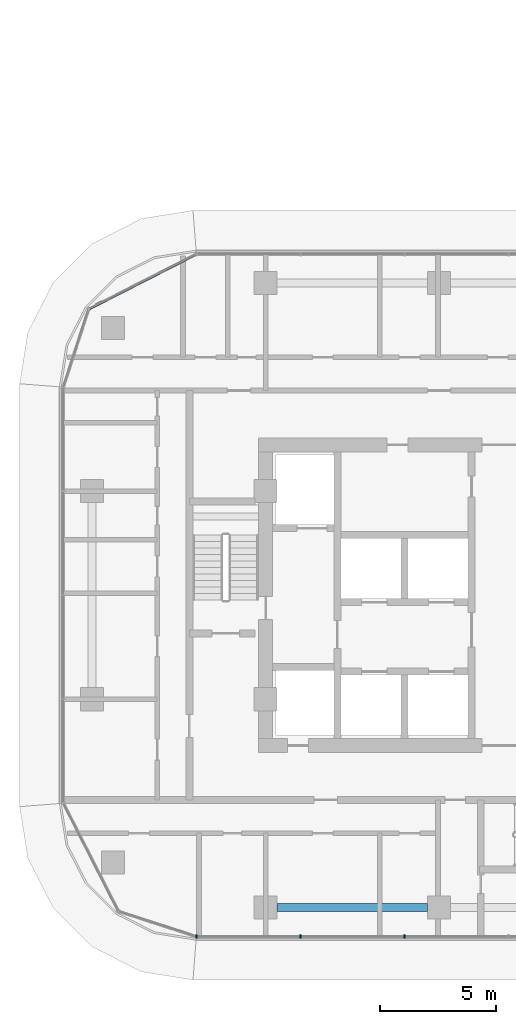
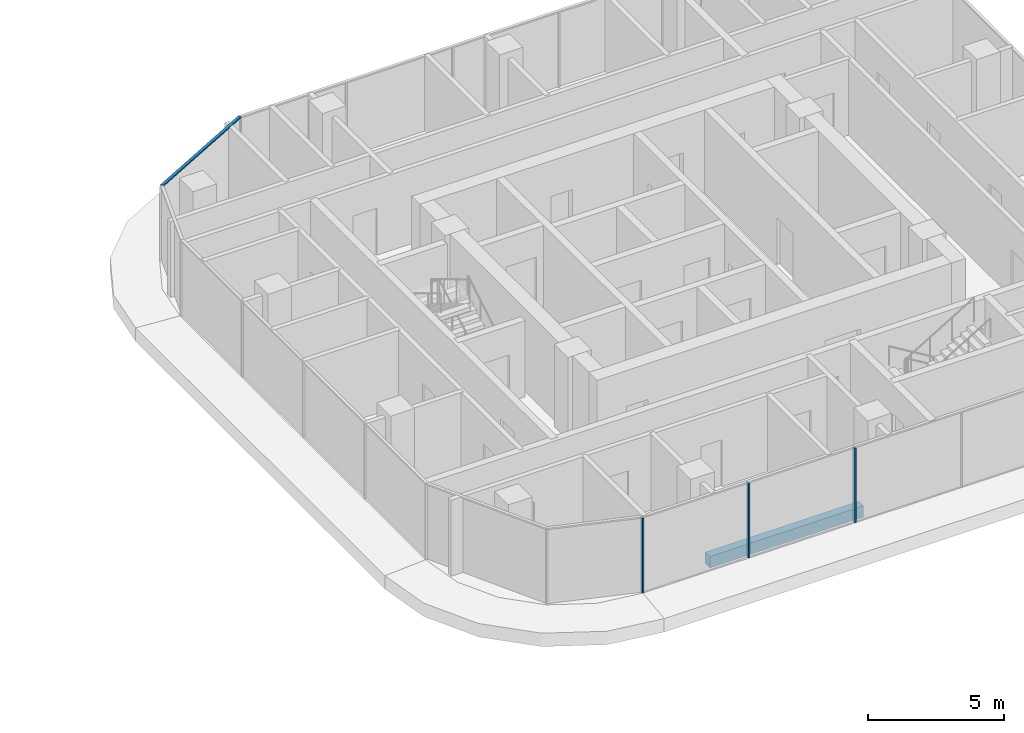
# One storey, part 10 of 39: 4 members, 1 beam, 2 elements without a shape of their own.
"""IFC4 building model written with IfcOpenShell, lengths in metres."""

from ifc_helpers import new_model, si_unit, direction, frame, origin, origin_2d, place, context, subcontext, project, spatial, rectangle, extrude, material, material_profile, profile_set, type_object, element, aggregate, save


model = new_model("IFC4")

# Units and contexts
model_context = context("Model", 3, precision=1e-05, world=origin(), true_north=direction((0.0, 1.0)))
body_context = subcontext(model_context, "Body", "Model", "MODEL_VIEW")
ifc_project = project(units=[si_unit("LENGTHUNIT", "METRE"), si_unit("AREAUNIT", "SQUARE_METRE"), si_unit("VOLUMEUNIT", "CUBIC_METRE"), si_unit("PLANEANGLEUNIT", "RADIAN"), si_unit("MASSUNIT", "GRAM", prefix="KILO")], contexts=[model_context])

# Site, building, storey
site_placement = place(None, origin())
site = spatial("IfcSite", under=ifc_project, at=site_placement, CompositionType="ELEMENT")
building_placement = place(site_placement, origin())
building = spatial("IfcBuilding", under=site, at=building_placement, Name="Ogive Portal Towers", CompositionType="ELEMENT")
storey_placement = place(building_placement, frame((0.0, 0.0, 44.60009765625)))
storey = spatial("IfcBuildingStorey", under=building, at=storey_placement, Name="L09", CompositionType="ELEMENT", Elevation=44.60009765625)

# Curtain wall, members
ifc_material_1 = material(Name="Glass, clear low-iron insulated glazing", Category="glass")
curtain_wall_type = type_object("IfcCurtainWallType", Name="CW RESIDENCES RIBBON", PredefinedType="NOTDEFINED", material=ifc_material_1)
curtain_wall_1_placement = place(storey_placement, origin())
curtain_wall_1 = element("IfcCurtainWall", 1, at=curtain_wall_1_placement, inside=storey, type_object=curtain_wall_type, Name="B:L09:f02:cw0", PredefinedType="NOTDEFINED")
ifc_material_2 = material(Name="Aluminium 6063 anodised", Category="aluminium")
ifc_material_profile_1 = material_profile(ifc_material_2, rectangle(XDim=0.159912109375, YDim=0.06005859375, at=origin_2d()), Name="AL 60x160")
ifc_profile_set_1 = profile_set([ifc_material_profile_1], Name="Aluminium 6063 anodised")
member_type_1 = type_object("IfcMemberType", Name="CW MULLION 60x160", PredefinedType="MULLION", material=ifc_profile_set_1)
member_1_placement = place(storey_placement, frame((126.0126953125, 16.2451171875, 0.0), z_axis=(0.0, 0.0, 1.0), x_axis=(0.0, 1.0, 0.0)))
member_1 = element("IfcMember", 2, at=member_1_placement, type_object=member_type_1, Name="mullion", PredefinedType="MULLION", context=body_context, shape_type="SweptSolid", body=[
    extrude(rectangle(XDim=0.159912109375, YDim=0.06005859375, at=origin_2d()), origin(), (0.0, 0.0, 1.0), 3.33984375),
])
member_2_placement = place(storey_placement, frame((130.5, 16.2451171875, 0.0), z_axis=(0.0, 0.0, 1.0), x_axis=(0.0, 1.0, 0.0)))
member_2 = element("IfcMember", 3, at=member_2_placement, type_object=member_type_1, Name="mullion", PredefinedType="MULLION", context=body_context, shape_type="SweptSolid", body=[
    extrude(rectangle(XDim=0.159912109375, YDim=0.06005859375, at=origin_2d()), origin(), (0.0, 0.0, 1.0), 3.33984375),
])
member_3_placement = place(storey_placement, frame((135.0, 16.2451171875, 0.0), z_axis=(0.0, 0.0, 1.0), x_axis=(0.0, 1.0, 0.0)))
member_3 = element("IfcMember", 4, at=member_3_placement, type_object=member_type_1, Name="mullion", PredefinedType="MULLION", context=body_context, shape_type="SweptSolid", body=[
    extrude(rectangle(XDim=0.159912109375, YDim=0.06005859375, at=origin_2d()), origin(), (0.0, 0.0, 1.0), 3.33984375),
])
aggregate(curtain_wall_1, [member_1, member_2, member_3])

# Curtain wall, member
curtain_wall_2_placement = place(storey_placement, origin())
curtain_wall_2 = element("IfcCurtainWall", 5, at=curtain_wall_2_placement, inside=storey, type_object=curtain_wall_type, Name="B:L09:f09:cwa", PredefinedType="NOTDEFINED")
ifc_material_profile_2 = material_profile(ifc_material_2, rectangle(XDim=0.1201171875, YDim=0.06005859375, at=origin_2d()), Name="AL 120x60")
ifc_profile_set_2 = profile_set([ifc_material_profile_2], Name="Aluminium 6063 anodised")
member_type_2 = type_object("IfcMemberType", Name="CW TRANSOM 60x120", PredefinedType="USERDEFINED", material=ifc_profile_set_2)
member_4_placement = place(storey_placement, frame((126.019287109375, 45.7548828125, 3.369873046875), z_axis=(-0.891022803147, -0.453958549068, 0.0), x_axis=(0.453958549068, -0.891022803147, 0.0)))
member_4 = element("IfcMember", 6, at=member_4_placement, type_object=member_type_2, Name="transom", ObjectType="TRANSOM", PredefinedType="USERDEFINED", context=body_context, shape_type="SweptSolid", body=[
    extrude(rectangle(XDim=0.1201171875, YDim=0.06005859375, at=origin_2d()), origin(), (0.0, 0.0, 1.0), 5.245849609375),
])
aggregate(curtain_wall_2, [member_4])

# Beam
ifc_material_3 = material(Name="Concrete C50/60", Category="concrete")
ifc_material_profile_3 = material_profile(ifc_material_3, rectangle(XDim=0.35009765625, YDim=0.5, at=origin_2d()), Name="RC 350x500")
ifc_profile_set_3 = profile_set([ifc_material_profile_3], Name="Concrete C50/60")
beam_type = type_object("IfcBeamType", Name="SPANDREL BEAM RC 350x500", PredefinedType="BEAM", material=ifc_profile_set_3)
beam_placement = place(storey_placement, frame((129.5, 17.5, -0.550048828125), z_axis=(1.0, 0.0, 0.0), x_axis=(0.0, 1.0, 0.0)))
element("IfcBeam", 7, at=beam_placement, inside=storey, type_object=beam_type, Name="Spandrel beam L09", PredefinedType="BEAM", context=body_context, shape_type="SweptSolid", body=[
    extrude(rectangle(XDim=0.35009765625, YDim=0.5, at=origin_2d()), origin(), (0.0, 0.0, 1.0), 6.5),
])

save(model, "model.ifc")
